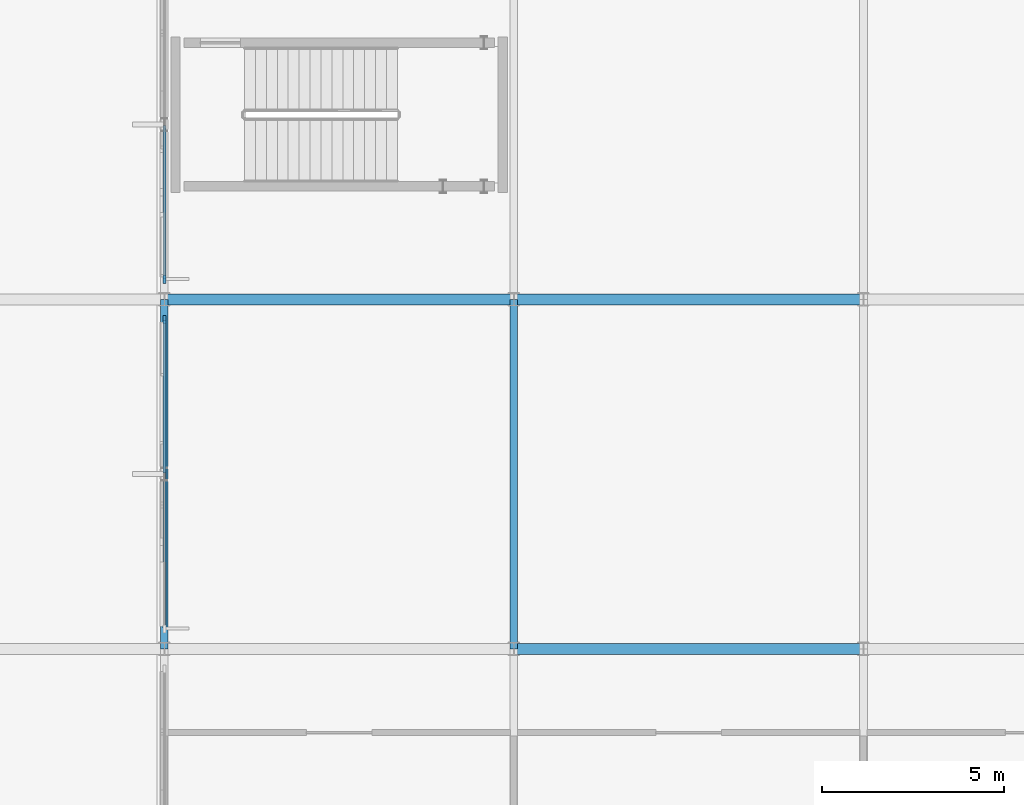
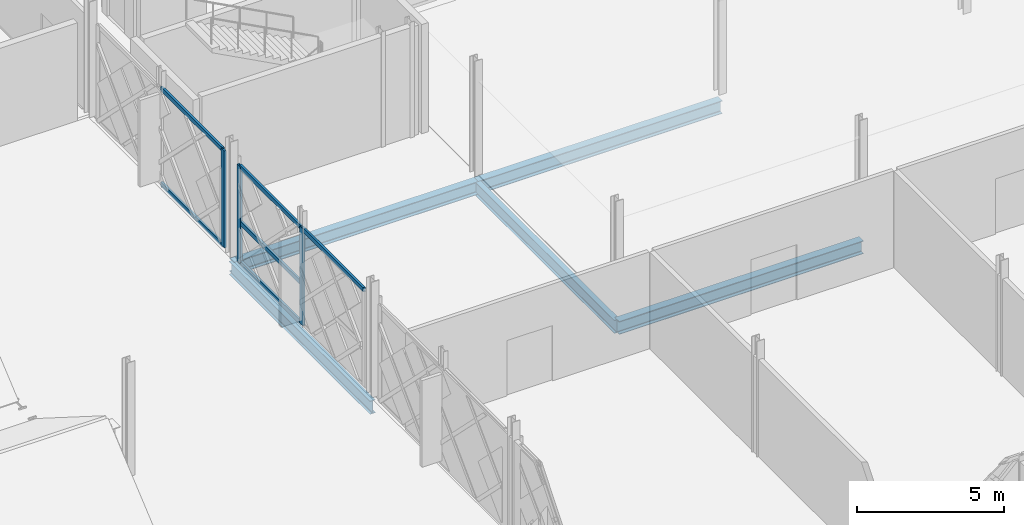
# One storey, part 20 of 77: 9 members, 5 beams, 2 elements without a shape of their own.
"""IFC4 building model written with IfcOpenShell, lengths in metres."""

from ifc_helpers import new_model, si_unit, direction, frame, origin, origin_2d, place, context, subcontext, project, spatial, rectangle, i_section, extrude, material, layer, layer_set, material_profile, profile_set, type_object, element, aggregate, save


model = new_model("IFC4")

# Units and contexts
model_context = context("Model", 3, precision=1e-05, world=origin(), true_north=direction((0.0, 1.0)))
body_context = subcontext(model_context, "Body", "Model", "MODEL_VIEW")
ifc_project = project(units=[si_unit("LENGTHUNIT", "METRE"), si_unit("AREAUNIT", "SQUARE_METRE"), si_unit("VOLUMEUNIT", "CUBIC_METRE"), si_unit("PLANEANGLEUNIT", "RADIAN"), si_unit("MASSUNIT", "GRAM", prefix="KILO")], contexts=[model_context])

# Site, building, storey
site_placement = place(None, origin())
site = spatial("IfcSite", under=ifc_project, at=site_placement, CompositionType="ELEMENT")
building_placement = place(site_placement, origin())
building = spatial("IfcBuilding", under=site, at=building_placement, Name="Zevrakil Square Congress Hotel", CompositionType="ELEMENT")
storey_placement = place(building_placement, frame((0.0, 0.0, 9.89990234375)))
storey = spatial("IfcBuildingStorey", under=building, at=storey_placement, Name="L03", CompositionType="ELEMENT", Elevation=9.89990234375)

# Beams
ifc_material_1 = material(Name="Steel S355", Category="steel")
ifc_material_profile_1 = material_profile(ifc_material_1, i_section(OverallWidth=0.300048828125, OverallDepth=0.5400390625, WebThickness=0.012451171875, FlangeThickness=0.02392578125, FilletRadius=0.027099609375, at=origin_2d()), Name="HEA 550")
ifc_profile_set_1 = profile_set([ifc_material_profile_1], Name="Steel S355")
beam_type_1 = type_object("IfcBeamType", Name="BM-HEA550", PredefinedType="BEAM", material=ifc_profile_set_1)
beam_1_placement = place(storey_placement, frame((64.800048828125, 26.39990234375, -0.52978515625), z_axis=(1.0, 0.0, 0.0), x_axis=(0.0, 1.0, 0.0)))
element("IfcBeam", 1, at=beam_1_placement, inside=storey, type_object=beam_type_1, Name="L03 primary girder BX-0998", PredefinedType="BEAM", context=body_context, shape_type="SweptSolid", body=[
    extrude(i_section(OverallWidth=0.300048828125, OverallDepth=0.5400390625, WebThickness=0.012451171875, FlangeThickness=0.02392578125, FilletRadius=0.027099609375, at=origin_2d()), origin(), (0.0, 0.0, 1.0), 9.599853515625),
])
beam_2_placement = place(storey_placement, frame((55.199951171875, 36.0, -0.52978515625), z_axis=(1.0, 0.0, 0.0), x_axis=(0.0, 1.0, 0.0)))
element("IfcBeam", 2, at=beam_2_placement, inside=storey, type_object=beam_type_1, Name="L03 primary girder BX-1008", PredefinedType="BEAM", context=body_context, shape_type="SweptSolid", body=[
    extrude(i_section(OverallWidth=0.300048828125, OverallDepth=0.5400390625, WebThickness=0.012451171875, FlangeThickness=0.02392578125, FilletRadius=0.027099609375, at=origin_2d()), origin(), (0.0, 0.0, 1.0), 9.60009765625),
])
beam_3_placement = place(storey_placement, frame((64.800048828125, 36.0, -0.52978515625), z_axis=(1.0, 0.0, 0.0), x_axis=(0.0, 1.0, 0.0)))
element("IfcBeam", 3, at=beam_3_placement, inside=storey, type_object=beam_type_1, Name="L03 primary girder BX-1009", PredefinedType="BEAM", context=body_context, shape_type="SweptSolid", body=[
    extrude(i_section(OverallWidth=0.300048828125, OverallDepth=0.5400390625, WebThickness=0.012451171875, FlangeThickness=0.02392578125, FilletRadius=0.027099609375, at=origin_2d()), origin(), (0.0, 0.0, 1.0), 9.599853515625),
])
ifc_material_2 = material(Name="Steel S355", Category="steel")
ifc_material_profile_2 = material_profile(ifc_material_2, i_section(OverallWidth=0.2099609375, OverallDepth=0.550048828125, WebThickness=0.010986328125, FlangeThickness=0.01708984375, FilletRadius=0.02392578125, at=origin_2d()), Name="IPE 550")
ifc_profile_set_2 = profile_set([ifc_material_profile_2], Name="Steel S355")
beam_type_2 = type_object("IfcBeamType", Name="BM-IPE550", PredefinedType="BEAM", material=ifc_profile_set_2)
for number, where, z_axis, x_axis, name in (
    (4, (55.199951171875, 26.39990234375, -0.534912109375), (0.0, 1.0, 0.0), (-1.0, 0.0, 0.0), "L03 primary girder BY-1102"),
    (5, (64.800048828125, 26.39990234375, -0.534912109375), (0.0, 1.0, 0.0), (-1.0, 0.0, 0.0), "L03 primary girder BY-1113"),
):
    element("IfcBeam", number, at=place(storey_placement, frame(where, z_axis=z_axis, x_axis=x_axis)), inside=storey, type_object=beam_type_2, Name=name, PredefinedType="BEAM", context=body_context, shape_type="SweptSolid", body=[
        extrude(i_section(OverallWidth=0.2099609375, OverallDepth=0.550048828125, WebThickness=0.010986328125, FlangeThickness=0.01708984375, FilletRadius=0.02392578125, at=origin_2d()), origin(), (0.0, 0.0, 1.0), 9.60009765625),
    ])

# Curtain wall, members
ifc_material_3 = material(Name="Aluminium Anodised Bronze", Category="aluminium")
ifc_layer = layer(ifc_material_3, 0.179931640625)
ifc_layer_set = layer_set([ifc_layer], Name="Aluminium Anodised Bronze")
curtain_wall_type = type_object("IfcCurtainWallType", Name="CW-L03-840", PredefinedType="USERDEFINED", material=ifc_layer_set)
curtain_wall_1_placement = place(storey_placement, origin())
curtain_wall_1 = element("IfcCurtainWall", 6, at=curtain_wall_1_placement, inside=storey, type_object=curtain_wall_type, Name="L03 diamond curtain wall CW-L03-0034", ObjectType="GLAZED CURTAIN WALL", PredefinedType="USERDEFINED")
ifc_material_4 = material(Name="Aluminium Anodised Bronze", Category="aluminium")
ifc_material_profile_3 = material_profile(ifc_material_4, rectangle(XDim=0.0849609375, YDim=0.179931640625, at=origin_2d()), Name="ALU 85x180")
ifc_profile_set_3 = profile_set([ifc_material_profile_3], Name="Aluminium Anodised Bronze")
member_type_1 = type_object("IfcMemberType", Name="CWM-ALU85x180", PredefinedType="USERDEFINED", material=ifc_profile_set_3)
member_1_placement = place(storey_placement, frame((55.199951171875, 26.97998046875, 3.9951171875), z_axis=(0.0, 1.0, 0.0), x_axis=(-1.0, 0.0, 0.0)))
member_1 = element("IfcMember", 7, at=member_1_placement, type_object=member_type_1, Name="CW-35 transom 1.3", ObjectType="TRANSOM", PredefinedType="USERDEFINED", context=body_context, shape_type="SweptSolid", body=[
    extrude(rectangle(XDim=0.0849609375, YDim=0.179931640625, at=origin_2d()), origin(), (0.0, 0.0, 1.0), 4.18994140625),
])
member_2_placement = place(storey_placement, frame((55.199951171875, 31.22998046875, 0.030029296875), z_axis=(0.0, 1.0, 0.0), x_axis=(-1.0, 0.0, 0.0)))
member_2 = element("IfcMember", 8, at=member_2_placement, type_object=member_type_1, Name="CW-35 transom 2.1", ObjectType="TRANSOM", PredefinedType="USERDEFINED", context=body_context, shape_type="SweptSolid", body=[
    extrude(rectangle(XDim=0.0849609375, YDim=0.179931640625, at=origin_2d()), origin(), (0.0, 0.0, 1.0), 4.18994140625),
])
member_3_placement = place(storey_placement, frame((55.199951171875, 31.22998046875, 1.690673828125), z_axis=(0.0, 1.0, 0.0), x_axis=(-1.0, 0.0, 0.0)))
member_3 = element("IfcMember", 9, at=member_3_placement, type_object=member_type_1, Name="CW-35 transom 2.2", ObjectType="TRANSOM", PredefinedType="USERDEFINED", context=body_context, shape_type="SweptSolid", body=[
    extrude(rectangle(XDim=0.0849609375, YDim=0.179931640625, at=origin_2d()), origin(), (0.0, 0.0, 1.0), 4.18994140625),
])
member_4_placement = place(storey_placement, frame((55.199951171875, 31.22998046875, 3.9951171875), z_axis=(0.0, 1.0, 0.0), x_axis=(-1.0, 0.0, 0.0)))
member_4 = element("IfcMember", 10, at=member_4_placement, type_object=member_type_1, Name="CW-35 transom 2.3", ObjectType="TRANSOM", PredefinedType="USERDEFINED", context=body_context, shape_type="SweptSolid", body=[
    extrude(rectangle(XDim=0.0849609375, YDim=0.179931640625, at=origin_2d()), origin(), (0.0, 0.0, 1.0), 4.18994140625),
])

curtain_wall_2_placement = place(storey_placement, origin())
curtain_wall_2 = element("IfcCurtainWall", 11, at=curtain_wall_2_placement, inside=storey, type_object=curtain_wall_type, Name="L03 diamond curtain wall CW-L03-0035", ObjectType="GLAZED CURTAIN WALL", PredefinedType="USERDEFINED")
member_5_placement = place(storey_placement, frame((55.199951171875, 36.580078125, 0.030029296875), z_axis=(0.0, 1.0, 0.0), x_axis=(-1.0, 0.0, 0.0)))
member_5 = element("IfcMember", 12, at=member_5_placement, type_object=member_type_1, Name="CW-35 transom 1.1", ObjectType="TRANSOM", PredefinedType="USERDEFINED", context=body_context, shape_type="SweptSolid", body=[
    extrude(rectangle(XDim=0.0849609375, YDim=0.179931640625, at=origin_2d()), origin(), (0.0, 0.0, 1.0), 4.18994140625),
])
member_6_placement = place(storey_placement, frame((55.199951171875, 36.580078125, 3.9951171875), z_axis=(0.0, 1.0, 0.0), x_axis=(-1.0, 0.0, 0.0)))
member_6 = element("IfcMember", 13, at=member_6_placement, type_object=member_type_1, Name="CW-35 transom 1.2", ObjectType="TRANSOM", PredefinedType="USERDEFINED", context=body_context, shape_type="SweptSolid", body=[
    extrude(rectangle(XDim=0.0849609375, YDim=0.179931640625, at=origin_2d()), origin(), (0.0, 0.0, 1.0), 4.18994140625),
])

# Member
ifc_material_5 = material(Name="Aluminium Anodised Bronze", Category="aluminium")
ifc_material_profile_4 = material_profile(ifc_material_5, rectangle(XDim=0.0849609375, YDim=0.219970703125, at=origin_2d()), Name="ALU 85x220")
ifc_profile_set_4 = profile_set([ifc_material_profile_4], Name="Aluminium Anodised Bronze")
member_type_2 = type_object("IfcMemberType", Name="CWM-ALU85x220", PredefinedType="MULLION", material=ifc_profile_set_4)
member_7_placement = place(storey_placement, frame((55.199951171875, 31.199951171875, 0.0), z_axis=(0.0, 0.0, 1.0), x_axis=(-1.0, 0.0, 0.0)))
member_7 = element("IfcMember", 14, at=member_7_placement, type_object=member_type_2, Name="CW-35 mullion 2", PredefinedType="MULLION", context=body_context, shape_type="SweptSolid", body=[
    extrude(rectangle(XDim=0.0849609375, YDim=0.219970703125, at=origin_2d()), origin(), (0.0, 0.0, 1.0), 4.025146484375),
])

member_8_placement = place(storey_placement, frame((55.199951171875, 35.449951171875, 0.0), z_axis=(0.0, 0.0, 1.0), x_axis=(-1.0, 0.0, 0.0)))
member_8 = element("IfcMember", 15, at=member_8_placement, type_object=member_type_2, Name="CW-35 mullion 3", PredefinedType="MULLION", context=body_context, shape_type="SweptSolid", body=[
    extrude(rectangle(XDim=0.0849609375, YDim=0.219970703125, at=origin_2d()), origin(), (0.0, 0.0, 1.0), 4.025146484375),
])

aggregate(curtain_wall_1, [member_7, member_8, member_1, member_2, member_3, member_4])

member_9_placement = place(storey_placement, frame((55.199951171875, 36.550048828125, 0.0), z_axis=(0.0, 0.0, 1.0), x_axis=(-1.0, 0.0, 0.0)))
member_9 = element("IfcMember", 16, at=member_9_placement, type_object=member_type_2, Name="CW-35 mullion 1", PredefinedType="MULLION", context=body_context, shape_type="SweptSolid", body=[
    extrude(rectangle(XDim=0.0849609375, YDim=0.219970703125, at=origin_2d()), origin(), (0.0, 0.0, 1.0), 4.025146484375),
])

aggregate(curtain_wall_2, [member_9, member_5, member_6])

save(model, "model.ifc")
